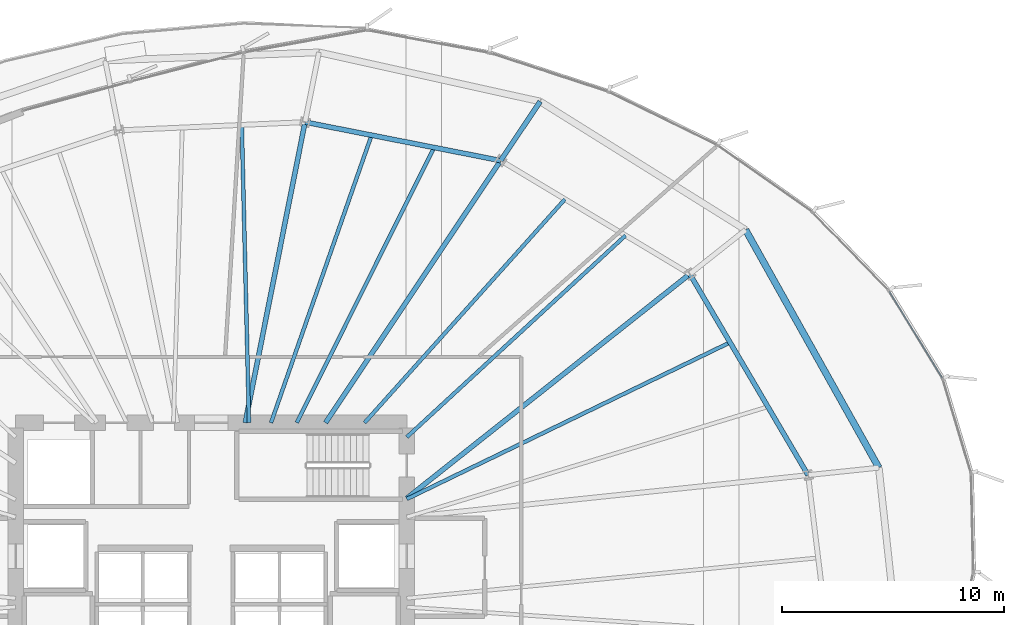
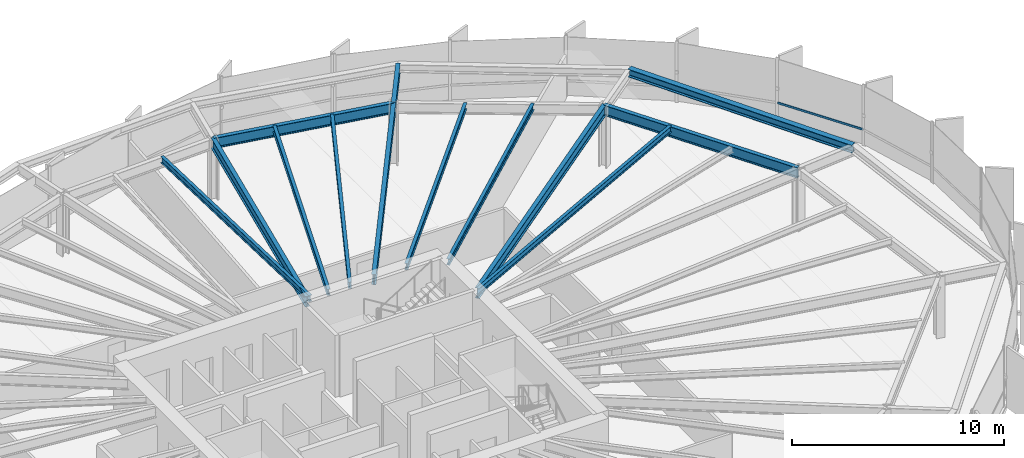
# One storey, part 24 of 38: 13 beams, 1 member, 1 element without a shape of its own.
"""IFC4 building model written with IfcOpenShell, lengths in metres."""

from ifc_helpers import new_model, si_unit, direction, frame, origin, origin_2d, place, context, subcontext, project, spatial, hollow_rectangle, i_section, extrude, source, transform, mapped, material, layer, layer_set, material_profile, profile_set, type_object, element, aggregate, save


model = new_model("IFC4")

# Units and contexts
model_context = context("Model", 3, precision=1e-05, world=origin(), true_north=direction((0.0, 1.0)))
body_context = subcontext(model_context, "Body", "Model", "MODEL_VIEW")
ifc_project = project(units=[si_unit("LENGTHUNIT", "METRE"), si_unit("AREAUNIT", "SQUARE_METRE"), si_unit("VOLUMEUNIT", "CUBIC_METRE"), si_unit("PLANEANGLEUNIT", "RADIAN"), si_unit("MASSUNIT", "GRAM", prefix="KILO"), si_unit("THERMODYNAMICTEMPERATUREUNIT", "KELVIN")], contexts=[model_context])

# Site, building, storey
site_placement = place(None, origin())
site = spatial("IfcSite", under=ifc_project, at=site_placement, CompositionType="ELEMENT")
building_placement = place(site_placement, origin())
building = spatial("IfcBuilding", under=site, at=building_placement, Name="Kethvar Cultural Tower", CompositionType="ELEMENT")
storey_placement = place(building_placement, frame((0.0, 0.0, 67.60009765625)))
storey = spatial("IfcBuildingStorey", under=building, at=storey_placement, Name="L16", CompositionType="ELEMENT", Elevation=67.60009765625)

# Beams
ifc_material_1 = material(Name="Steel S355J2", Category="steel")
ifc_material_profile_1 = material_profile(ifc_material_1, i_section(OverallWidth=0.219970703125, OverallDepth=0.60009765625, WebThickness=0.011962890625, FlangeThickness=0.01904296875, FilletRadius=0.02392578125, at=origin_2d()), Name="Steel S355J2 — IPE600")
ifc_profile_set_1 = profile_set([ifc_material_profile_1], Name="Steel S355J2 — IPE600")
beam_type_1 = type_object("IfcBeamType", Name="BM-IPE600", PredefinedType="BEAM", material=ifc_profile_set_1)
shared_shape_1 = source(origin(), body_context, "Body", "SweptSolid", [
    extrude(i_section(OverallWidth=0.219970703125, OverallDepth=0.60009765625, WebThickness=0.011962890625, FlangeThickness=0.01904296875, FilletRadius=0.02392578125, at=origin_2d()), origin(), (0.0, 0.0, 1.0), 16.248779296875),
])
beam_1_placement = place(storey_placement, frame((55.60009765625, 32.10009765625, 3.247802734375), z_axis=(0.783831288624, 0.620973840813, 0.0), x_axis=(-0.620973840813, 0.783831288624, 0.0)))
element("IfcBeam", 1, at=beam_1_placement, inside=storey, type_object=beam_type_1, Name="L16 Primary Radial Beam RB-02", PredefinedType="BEAM", context=body_context, shape_type="MappedRepresentation", body=[
    mapped(shared_shape_1, transform((0.0, 0.0, 0.0), scale=1.0)),
])
shared_shape_2 = source(origin(), body_context, "Body", "SweptSolid", [
    extrude(i_section(OverallWidth=0.219970703125, OverallDepth=0.60009765625, WebThickness=0.011962890625, FlangeThickness=0.01904296875, FilletRadius=0.02392578125, at=origin_2d()), origin(), (0.0, 0.0, 1.0), 14.18359375),
])
beam_2_placement = place(storey_placement, frame((51.945068359375, 35.5, 3.247802734375), z_axis=(0.55556584065, 0.831472547174, 0.0), x_axis=(-0.831472547174, 0.55556584065, 0.0)))
element("IfcBeam", 2, at=beam_2_placement, inside=storey, type_object=beam_type_1, Name="L16 Primary Radial Beam RB-03", PredefinedType="BEAM", context=body_context, shape_type="MappedRepresentation", body=[
    mapped(shared_shape_2, transform((0.0, 0.0, 0.0), scale=1.0)),
])
shared_shape_3 = source(origin(), body_context, "Body", "SweptSolid", [
    extrude(i_section(OverallWidth=0.219970703125, OverallDepth=0.60009765625, WebThickness=0.011962890625, FlangeThickness=0.01904296875, FilletRadius=0.02392578125, at=origin_2d()), origin(), (0.0, 0.0, 1.0), 3.2001953125),
])
beam_3_placement = place(storey_placement, frame((59.824951171875, 47.293212890625, 3.247802734375), z_axis=(0.555544970406, 0.831486491686, 0.0), x_axis=(-0.831486491686, 0.555544970406, 0.0)))
element("IfcBeam", 3, at=beam_3_placement, inside=storey, type_object=beam_type_1, Name="L16 Perimeter Cantilever Beam RC-03", PredefinedType="BEAM", context=body_context, shape_type="MappedRepresentation", body=[
    mapped(shared_shape_3, transform((0.0, 0.0, 0.0), scale=1.0)),
])
shared_shape_4 = source(origin(), body_context, "Body", "SweptSolid", [
    extrude(i_section(OverallWidth=0.219970703125, OverallDepth=0.60009765625, WebThickness=0.011962890625, FlangeThickness=0.01904296875, FilletRadius=0.02392578125, at=origin_2d()), origin(), (0.0, 0.0, 1.0), 13.791015625),
])
beam_4_placement = place(storey_placement, frame((48.33154296875, 35.5, 3.247802734375), z_axis=(0.195104916429, 0.980782377281, 0.0), x_axis=(-0.980782377281, 0.195104916429, 0.0)))
element("IfcBeam", 4, at=beam_4_placement, inside=storey, type_object=beam_type_1, Name="L16 Primary Radial Beam RB-04", PredefinedType="BEAM", context=body_context, shape_type="MappedRepresentation", body=[
    mapped(shared_shape_4, transform((0.0, 0.0, 0.0), scale=1.0)),
])
shared_shape_5 = source(origin(), body_context, "Body", "SweptSolid", [
    extrude(i_section(OverallWidth=0.219970703125, OverallDepth=0.60009765625, WebThickness=0.011962890625, FlangeThickness=0.01904296875, FilletRadius=0.02392578125, at=origin_2d()), origin(), (0.0, 0.0, 1.0), 10.496337890625),
])
beam_5_placement = place(storey_placement, frame((73.65673828125, 33.14208984375, 3.247802734375), z_axis=(-0.506871712474, 0.862021500366, 0.0), x_axis=(-0.862021500366, -0.506871712474, 0.0)))
element("IfcBeam", 5, at=beam_5_placement, inside=storey, type_object=beam_type_1, Name="L16 Column Ring Tie Beam CR-01", PredefinedType="BEAM", context=body_context, shape_type="MappedRepresentation", body=[
    mapped(shared_shape_5, transform((0.0, 0.0, 0.0), scale=1.0)),
])
ifc_material_profile_2 = material_profile(ifc_material_1, i_section(OverallWidth=0.169921875, OverallDepth=0.360107421875, WebThickness=0.008056640625, FlangeThickness=0.0126953125, FilletRadius=0.01806640625, at=origin_2d()), Name="Steel S355J2 — IPE360")
ifc_profile_set_2 = profile_set([ifc_material_profile_2], Name="Steel S355J2 — IPE360")
beam_type_2 = type_object("IfcBeamType", Name="BM-J360", PredefinedType="JOIST", material=ifc_profile_set_2)
shared_shape_6 = source(origin(), body_context, "Body", "SweptSolid", [
    extrude(i_section(OverallWidth=0.169921875, OverallDepth=0.360107421875, WebThickness=0.008056640625, FlangeThickness=0.0126953125, FilletRadius=0.01806640625, at=origin_2d()), origin(), (0.0, 0.0, 1.0), 16.163330078125),
])
beam_6_placement = place(storey_placement, frame((55.60009765625, 32.064697265625, 3.367919921875), z_axis=(0.899890099721, 0.436116737151, 0.0), x_axis=(-0.436116737151, 0.899890099721, 0.0)))
element("IfcBeam", 6, at=beam_6_placement, inside=storey, type_object=beam_type_2, Name="L16 Composite Floor Joist J-01B", PredefinedType="JOIST", context=body_context, shape_type="MappedRepresentation", body=[
    mapped(shared_shape_6, transform((0.0, 0.0, 0.0), scale=1.0)),
])
shared_shape_7 = source(origin(), body_context, "Body", "SweptSolid", [
    extrude(i_section(OverallWidth=0.169921875, OverallDepth=0.360107421875, WebThickness=0.008056640625, FlangeThickness=0.0126953125, FilletRadius=0.01806640625, at=origin_2d()), origin(), (0.0, 0.0, 1.0), 13.3876953125),
])
beam_7_placement = place(storey_placement, frame((55.60009765625, 34.85009765625, 3.367919921875), z_axis=(0.735175283276, 0.677877055859, 0.0), x_axis=(-0.677877055859, 0.735175283276, 0.0)))
element("IfcBeam", 7, at=beam_7_placement, inside=storey, type_object=beam_type_2, Name="L16 Composite Floor Joist J-02A", PredefinedType="JOIST", context=body_context, shape_type="MappedRepresentation", body=[
    mapped(shared_shape_7, transform((0.0, 0.0, 0.0), scale=1.0)),
])
shared_shape_8 = source(origin(), body_context, "Body", "SweptSolid", [
    extrude(i_section(OverallWidth=0.169921875, OverallDepth=0.360107421875, WebThickness=0.008056640625, FlangeThickness=0.0126953125, FilletRadius=0.01806640625, at=origin_2d()), origin(), (0.0, 0.0, 1.0), 13.508056640625),
])
beam_8_placement = place(storey_placement, frame((53.702392578125, 35.5, 3.367919921875), z_axis=(0.667503553274, 0.744606611821, 0.0), x_axis=(-0.744606611821, 0.667503553274, 0.0)))
element("IfcBeam", 8, at=beam_8_placement, inside=storey, type_object=beam_type_2, Name="L16 Composite Floor Joist J-02B", PredefinedType="JOIST", context=body_context, shape_type="MappedRepresentation", body=[
    mapped(shared_shape_8, transform((0.0, 0.0, 0.0), scale=1.0)),
])
shared_shape_9 = source(origin(), body_context, "Body", "SweptSolid", [
    extrude(i_section(OverallWidth=0.219970703125, OverallDepth=0.60009765625, WebThickness=0.011962890625, FlangeThickness=0.01904296875, FilletRadius=0.02392578125, at=origin_2d()), origin(), (0.0, 0.0, 1.0), 8.9716796875),
])
beam_9_placement = place(storey_placement, frame((59.824951171875, 47.293212890625, 3.247802734375), z_axis=(-0.981173751046, 0.193127083181, 0.0), x_axis=(-0.193127083181, -0.981173751046, 0.0)))
element("IfcBeam", 9, at=beam_9_placement, inside=storey, type_object=beam_type_1, Name="L16 Column Ring Tie Beam CR-03", PredefinedType="BEAM", context=body_context, shape_type="MappedRepresentation", body=[
    mapped(shared_shape_9, transform((0.0, 0.0, 0.0), scale=1.0)),
])
shared_shape_10 = source(origin(), body_context, "Body", "SweptSolid", [
    extrude(i_section(OverallWidth=0.169921875, OverallDepth=0.360107421875, WebThickness=0.008056640625, FlangeThickness=0.0126953125, FilletRadius=0.01806640625, at=origin_2d()), origin(), (0.0, 0.0, 1.0), 13.84130859375),
])
beam_10_placement = place(storey_placement, frame((50.646484375, 35.5, 3.367919921875), z_axis=(0.446889017672, 0.894589406311, 0.0), x_axis=(-0.894589406311, 0.446889017672, 0.0)))
element("IfcBeam", 10, at=beam_10_placement, inside=storey, type_object=beam_type_2, Name="L16 Composite Floor Joist J-03A", PredefinedType="JOIST", context=body_context, shape_type="MappedRepresentation", body=[
    mapped(shared_shape_10, transform((0.0, 0.0, 0.0), scale=1.0)),
])
shared_shape_11 = source(origin(), body_context, "Body", "SweptSolid", [
    extrude(i_section(OverallWidth=0.169921875, OverallDepth=0.360107421875, WebThickness=0.008056640625, FlangeThickness=0.0126953125, FilletRadius=0.01806640625, at=origin_2d()), origin(), (0.0, 0.0, 1.0), 13.70458984375),
])
beam_11_placement = place(storey_placement, frame((49.4921875, 35.5, 3.367919921875), z_axis=(0.330030618422, 0.943970227764, 0.0), x_axis=(-0.943970227764, 0.330030618422, 0.0)))
element("IfcBeam", 11, at=beam_11_placement, inside=storey, type_object=beam_type_2, Name="L16 Composite Floor Joist J-03B", PredefinedType="JOIST", context=body_context, shape_type="MappedRepresentation", body=[
    mapped(shared_shape_11, transform((0.0, 0.0, 0.0), scale=1.0)),
])
shared_shape_12 = source(origin(), body_context, "Body", "SweptSolid", [
    extrude(i_section(OverallWidth=0.169921875, OverallDepth=0.360107421875, WebThickness=0.008056640625, FlangeThickness=0.0126953125, FilletRadius=0.01806640625, at=origin_2d()), origin(), (0.0, 0.0, 1.0), 13.40380859375),
])
beam_12_placement = place(storey_placement, frame((48.5, 35.5, 3.367919921875), z_axis=(-0.024170322554, 0.999707855079, 0.0), x_axis=(-0.999707855079, -0.024170322554, 0.0)))
element("IfcBeam", 12, at=beam_12_placement, inside=storey, type_object=beam_type_2, Name="L16 Composite Floor Joist J-04A", PredefinedType="JOIST", context=body_context, shape_type="MappedRepresentation", body=[
    mapped(shared_shape_12, transform((0.0, 0.0, 0.0), scale=1.0)),
])
ifc_material_profile_3 = material_profile(ifc_material_1, i_section(OverallWidth=0.300048828125, OverallDepth=0.449951171875, WebThickness=0.013916015625, FlangeThickness=0.02587890625, FilletRadius=0.027099609375, at=origin_2d()), Name="Steel S355J2 — HEB450")
ifc_profile_set_3 = profile_set([ifc_material_profile_3], Name="Steel S355J2 — HEB450")
beam_type_3 = type_object("IfcBeamType", Name="BM-SP450", PredefinedType="SPANDREL", material=ifc_profile_set_3)
shared_shape_13 = source(origin(), body_context, "Body", "SweptSolid", [
    extrude(i_section(OverallWidth=0.300048828125, OverallDepth=0.449951171875, WebThickness=0.013916015625, FlangeThickness=0.02587890625, FilletRadius=0.027099609375, at=origin_2d()), origin(), (0.0, 0.0, 1.0), 12.266357421875),
])
beam_13_placement = place(storey_placement, frame((76.83935546875, 33.4755859375, 3.322998046875), z_axis=(-0.488708822027, 0.872446953845, 0.0), x_axis=(-0.872446953845, -0.488708822027, 0.0)))
element("IfcBeam", 13, at=beam_13_placement, inside=storey, type_object=beam_type_3, Name="L16 Perimeter Spandrel Beam SP-01", PredefinedType="SPANDREL", context=body_context, shape_type="MappedRepresentation", body=[
    mapped(shared_shape_13, transform((0.0, 0.0, 0.0), scale=1.0)),
])

# Curtain wall, member
ifc_material_2 = material(Name="Aluminium 6063-T6", Category="aluminium")
ifc_layer = layer(ifc_material_2, 0.179931640625, Name="Aluminium 6063-T6", Category="aluminium")
ifc_layer_set = layer_set([ifc_layer], Name="Aluminium 6063-T6 (180 mm)")
curtain_wall_type = type_object("IfcCurtainWallType", Name="CW-SYS-02-Z1", PredefinedType="NOTDEFINED", material=ifc_layer_set)
curtain_wall_placement = place(storey_placement, origin())
curtain_wall = element("IfcCurtainWall", 14, at=curtain_wall_placement, inside=storey, type_object=curtain_wall_type, Name="L16 Curtain Wall Run 01", PredefinedType="NOTDEFINED")
ifc_material_profile_4 = material_profile(ifc_material_2, hollow_rectangle(XDim=0.054931640625, YDim=0.1201171875, WallThickness=0.00390625, at=origin_2d()), Name="Aluminium 6063-T6 — RHS120x55x4")
ifc_profile_set_4 = profile_set([ifc_material_profile_4], Name="Aluminium 6063-T6 — RHS120x55x4")
member_type = type_object("IfcMemberType", Name="CW-SYS-02-Z1-TRN", PredefinedType="USERDEFINED", material=ifc_profile_set_4)
shared_shape_14 = source(origin(), body_context, "Body", "SweptSolid", [
    extrude(hollow_rectangle(XDim=0.054931640625, YDim=0.1201171875, WallThickness=0.00390625, at=origin_2d()), origin(), (0.0, 0.0, 1.0), 4.572509765625),
])
member_placement = place(storey_placement, frame((79.694091796875, 37.51025390625, 0.949951171875), z_axis=(-0.521810636171, 0.853061345964, 0.0), x_axis=(-0.853061345964, -0.521810636171, 0.0)))
member = element("IfcMember", 15, at=member_placement, type_object=member_type, Name="CW-L16-R01 Transom 2", ObjectType="TRANSOM", PredefinedType="USERDEFINED", context=body_context, shape_type="MappedRepresentation", body=[
    mapped(shared_shape_14, transform((0.0, 0.0, 0.0), scale=1.0)),
])
aggregate(curtain_wall, [member])

save(model, "model.ifc")
